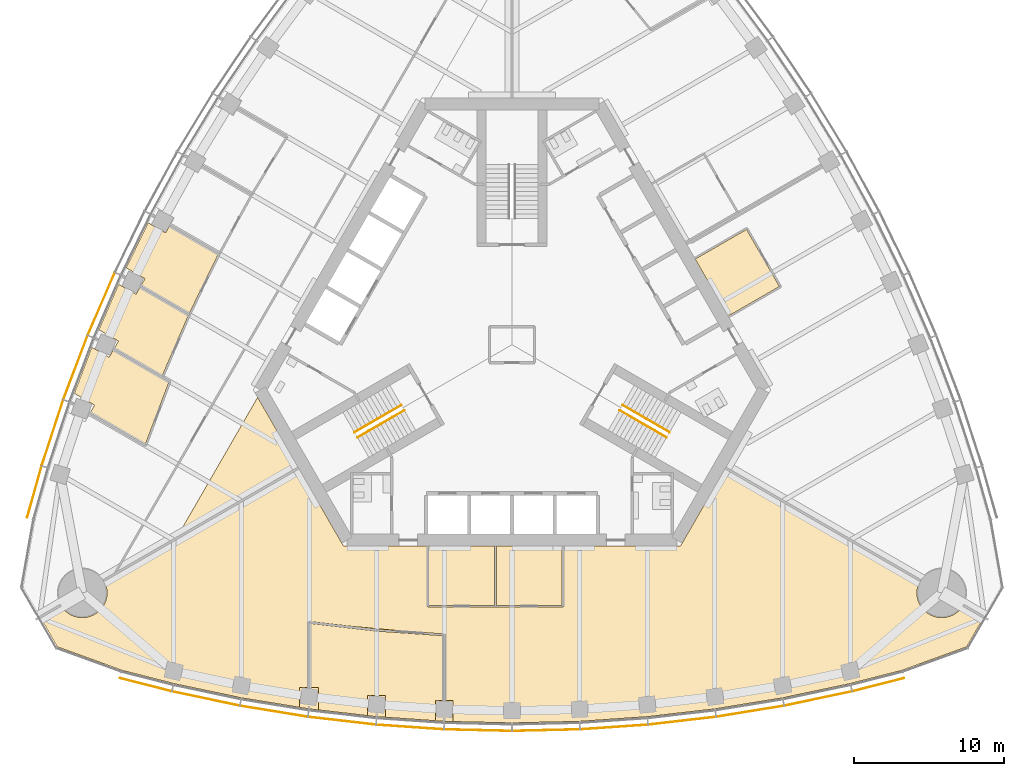
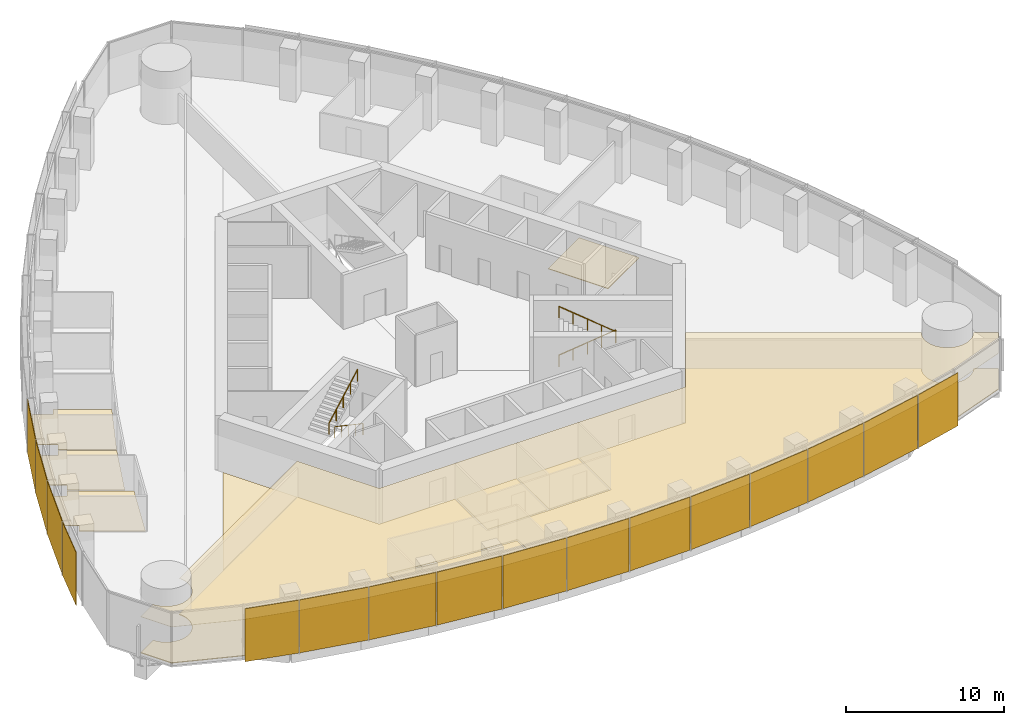
# One storey, part 15 of 19: 16 shading devices, 10 coverings, 4 railings.
"""IFC4 building model written with IfcOpenShell, lengths in metres."""

from ifc_helpers import new_model, si_unit, direction, frame, origin, origin_2d, place, context, subcontext, project, spatial, polyline, rectangle, circle, outline, extrude, material, layer, layer_set, type_object, element, save


model = new_model("IFC4")

# Units and contexts
model_context = context("Model", 3, precision=1e-05, world=origin(), true_north=direction((0.0, 1.0)))
body_context = subcontext(model_context, "Body", "Model", "MODEL_VIEW")
ifc_project = project(units=[si_unit("LENGTHUNIT", "METRE"), si_unit("AREAUNIT", "SQUARE_METRE"), si_unit("VOLUMEUNIT", "CUBIC_METRE"), si_unit("PLANEANGLEUNIT", "RADIAN"), si_unit("MASSUNIT", "GRAM", prefix="KILO")], contexts=[model_context])

# Site, building, storey
site_placement = place(None, origin())
site = spatial("IfcSite", under=ifc_project, at=site_placement, CompositionType="ELEMENT")
building_placement = place(site_placement, origin())
building = spatial("IfcBuilding", under=site, at=building_placement, Name="Trefoil Bronze Tower", CompositionType="ELEMENT")
storey_placement = place(building_placement, frame((0.0, 0.0, 206.5)))
storey = spatial("IfcBuildingStorey", under=building, at=storey_placement, Name="L47", CompositionType="ELEMENT", Elevation=206.5)

# Shading devices
ifc_material_1 = material(Name="Perforated bronze sheet", Category="bronze")
ifc_layer_1 = layer(ifc_material_1, 0.0400390625)
ifc_layer_set_1 = layer_set([ifc_layer_1], Name="Bronze solar screen panel")
shading_device_type = type_object("IfcShadingDeviceType", Name="Bronze solar screen panel", PredefinedType="SHUTTER", material=ifc_layer_set_1)
shading_device_1_placement = place(storey_placement, frame((-24.360107421875, -22.614501953125, 0.050048828125), z_axis=(0.0, 0.0, 1.0), x_axis=(0.968934035393, -0.247319297786, 0.0)))
element("IfcShadingDevice", 1, at=shading_device_1_placement, inside=storey, type_object=shading_device_type, Name="Solar screen CW-A L47 F1 bay 1", PredefinedType="SHUTTER", context=body_context, shape_type="SweptSolid", body=[
    extrude(rectangle(XDim=3.53369140625, YDim=0.0400390625, at=origin_2d()), origin(), (0.0, 0.0, 1.0), 4.10009765625),
])
shading_device_2_placement = place(storey_placement, frame((-20.361572265625, -23.535888671875, 0.050048828125), z_axis=(0.0, 0.0, 1.0), x_axis=(0.978394335897, -0.20674748725, 0.0)))
element("IfcShadingDevice", 2, at=shading_device_2_placement, inside=storey, type_object=shading_device_type, Name="Solar screen CW-A L47 F1 bay 2", PredefinedType="SHUTTER", context=body_context, shape_type="SweptSolid", body=[
    extrude(rectangle(XDim=4.5693359375, YDim=0.0400390625, at=origin_2d()), origin(), (0.0, 0.0, 1.0), 4.10009765625),
])
shading_device_3_placement = place(storey_placement, frame((-15.8369140625, -24.382568359375, 0.050048828125), z_axis=(0.0, 0.0, 1.0), x_axis=(0.986986549528, -0.160802832848, 0.0)))
element("IfcShadingDevice", 3, at=shading_device_3_placement, inside=storey, type_object=shading_device_type, Name="Solar screen CW-A L47 F1 bay 3", PredefinedType="SHUTTER", context=body_context, shape_type="SweptSolid", body=[
    extrude(rectangle(XDim=4.529296875, YDim=0.0400390625, at=origin_2d()), origin(), (0.0, 0.0, 1.0), 4.10009765625),
])
shading_device_4_placement = place(storey_placement, frame((-11.31201171875, -25.0126953125, 0.050048828125), z_axis=(0.0, 0.0, 1.0), x_axis=(0.993381831741, -0.114858767043, 0.0)))
element("IfcShadingDevice", 4, at=shading_device_4_placement, inside=storey, type_object=shading_device_type, Name="Solar screen CW-A L47 F1 bay 4", PredefinedType="SHUTTER", context=body_context, shape_type="SweptSolid", body=[
    extrude(rectangle(XDim=4.5, YDim=0.0400390625, at=origin_2d()), origin(), (0.0, 0.0, 1.0), 4.10009765625),
])
shading_device_5_placement = place(storey_placement, frame((-6.787109375, -25.430419921875, 0.050048828125), z_axis=(0.0, 0.0, 1.0), x_axis=(0.99762252804, -0.068915103905, 0.0)))
element("IfcShadingDevice", 5, at=shading_device_5_placement, inside=storey, type_object=shading_device_type, Name="Solar screen CW-A L47 F1 bay 5", PredefinedType="SHUTTER", context=body_context, shape_type="SweptSolid", body=[
    extrude(rectangle(XDim=4.480712890625, YDim=0.0400390625, at=origin_2d()), origin(), (0.0, 0.0, 1.0), 4.10009765625),
])
for number, where, z_axis, x_axis, name in (
    (6, (-2.262451171875, -25.638671875, 0.050048828125), (0.0, 0.0, 1.0), (0.999736116243, -0.022971675577, 0.0), "Solar screen CW-A L47 F1 bay 6"),
    (7, (2.262451171875, -25.638671875, 0.050048828125), (0.0, 0.0, 1.0), (0.999736116243, 0.022971675577, 0.0), "Solar screen CW-A L47 F1 bay 7"),
):
    element("IfcShadingDevice", number, at=place(storey_placement, frame(where, z_axis=z_axis, x_axis=x_axis)), inside=storey, type_object=shading_device_type, Name=name, PredefinedType="SHUTTER", context=body_context, shape_type="SweptSolid", body=[
        extrude(rectangle(XDim=4.47119140625, YDim=0.0400390625, at=origin_2d()), origin(), (0.0, 0.0, 1.0), 4.10009765625),
    ])
shading_device_6_placement = place(storey_placement, frame((6.787109375, -25.430419921875, 0.050048828125), z_axis=(0.0, 0.0, 1.0), x_axis=(0.99762252804, 0.068915103905, 0.0)))
element("IfcShadingDevice", 8, at=shading_device_6_placement, inside=storey, type_object=shading_device_type, Name="Solar screen CW-A L47 F1 bay 8", PredefinedType="SHUTTER", context=body_context, shape_type="SweptSolid", body=[
    extrude(rectangle(XDim=4.480712890625, YDim=0.0400390625, at=origin_2d()), origin(), (0.0, 0.0, 1.0), 4.10009765625),
])
shading_device_7_placement = place(storey_placement, frame((11.31201171875, -25.0126953125, 0.050048828125), z_axis=(0.0, 0.0, 1.0), x_axis=(0.993381831741, 0.114858767043, 0.0)))
element("IfcShadingDevice", 9, at=shading_device_7_placement, inside=storey, type_object=shading_device_type, Name="Solar screen CW-A L47 F1 bay 9", PredefinedType="SHUTTER", context=body_context, shape_type="SweptSolid", body=[
    extrude(rectangle(XDim=4.5, YDim=0.0400390625, at=origin_2d()), origin(), (0.0, 0.0, 1.0), 4.10009765625),
])
shading_device_8_placement = place(storey_placement, frame((15.8369140625, -24.382568359375, 0.050048828125), z_axis=(0.0, 0.0, 1.0), x_axis=(0.986986549528, 0.160802832848, 0.0)))
element("IfcShadingDevice", 10, at=shading_device_8_placement, inside=storey, type_object=shading_device_type, Name="Solar screen CW-A L47 F1 bay 10", PredefinedType="SHUTTER", context=body_context, shape_type="SweptSolid", body=[
    extrude(rectangle(XDim=4.529296875, YDim=0.0400390625, at=origin_2d()), origin(), (0.0, 0.0, 1.0), 4.10009765625),
])
shading_device_9_placement = place(storey_placement, frame((20.361572265625, -23.535888671875, 0.050048828125), z_axis=(0.0, 0.0, 1.0), x_axis=(0.978394335897, 0.20674748725, 0.0)))
element("IfcShadingDevice", 11, at=shading_device_9_placement, inside=storey, type_object=shading_device_type, Name="Solar screen CW-A L47 F1 bay 11", PredefinedType="SHUTTER", context=body_context, shape_type="SweptSolid", body=[
    extrude(rectangle(XDim=4.5693359375, YDim=0.0400390625, at=origin_2d()), origin(), (0.0, 0.0, 1.0), 4.10009765625),
])
shading_device_10_placement = place(storey_placement, frame((24.360107421875, -22.614501953125, 0.050048828125), z_axis=(0.0, 0.0, 1.0), x_axis=(0.968934035393, 0.247319297786, 0.0)))
element("IfcShadingDevice", 12, at=shading_device_10_placement, inside=storey, type_object=shading_device_type, Name="Solar screen CW-A L47 F1 bay 12", PredefinedType="SHUTTER", context=body_context, shape_type="SweptSolid", body=[
    extrude(rectangle(XDim=3.53369140625, YDim=0.0400390625, at=origin_2d()), origin(), (0.0, 0.0, 1.0), 4.10009765625),
])
shading_device_11_placement = place(storey_placement, frame((-27.317626953125, 2.709716796875, 0.050048828125), z_axis=(0.0, 0.0, 1.0), x_axis=(-0.397220305764, -0.917723285467, 0.0)))
element("IfcShadingDevice", 13, at=shading_device_11_placement, inside=storey, type_object=shading_device_type, Name="Solar screen CW-A L47 F3 bay 9", PredefinedType="SHUTTER", context=body_context, shape_type="SweptSolid", body=[
    extrude(rectangle(XDim=4.5, YDim=0.0400390625, at=origin_2d()), origin(), (0.0, 0.0, 1.0), 4.10009765625),
])
shading_device_12_placement = place(storey_placement, frame((-29.0341796875, -1.52392578125, 0.050048828125), z_axis=(0.0, 0.0, 1.0), x_axis=(-0.354233936517, -0.935156841508, 0.0)))
element("IfcShadingDevice", 14, at=shading_device_12_placement, inside=storey, type_object=shading_device_type, Name="Solar screen CW-A L47 F3 bay 10", PredefinedType="SHUTTER", context=body_context, shape_type="SweptSolid", body=[
    extrude(rectangle(XDim=4.529296875, YDim=0.0400390625, at=origin_2d()), origin(), (0.0, 0.0, 1.0), 4.10009765625),
])
shading_device_13_placement = place(storey_placement, frame((-30.5634765625, -5.86572265625, 0.050048828125), z_axis=(0.0, 0.0, 1.0), x_axis=(-0.310148591821, -0.950688093431, 0.0)))
element("IfcShadingDevice", 15, at=shading_device_13_placement, inside=storey, type_object=shading_device_type, Name="Solar screen CW-A L47 F3 bay 11", PredefinedType="SHUTTER", context=body_context, shape_type="SweptSolid", body=[
    extrude(rectangle(XDim=4.5693359375, YDim=0.0400390625, at=origin_2d()), origin(), (0.0, 0.0, 1.0), 4.10009765625),
])
shading_device_14_placement = place(storey_placement, frame((-31.764892578125, -9.7890625, 0.050048828125), z_axis=(0.0, 0.0, 1.0), x_axis=(-0.270282222968, -0.962781138134, 0.0)))
element("IfcShadingDevice", 16, at=shading_device_14_placement, inside=storey, type_object=shading_device_type, Name="Solar screen CW-A L47 F3 bay 12", PredefinedType="SHUTTER", context=body_context, shape_type="SweptSolid", body=[
    extrude(rectangle(XDim=3.53369140625, YDim=0.0400390625, at=origin_2d()), origin(), (0.0, 0.0, 1.0), 4.10009765625),
])

# Railings
ifc_material_2 = material(Name="Steel handrail", Category="steel")
railing_type = type_object("IfcRailingType", Name="Handrail 900", PredefinedType="HANDRAIL", material=ifc_material_2)
railing_1_placement = place(storey_placement, frame((7.365966796875, -4.021728515625, 0.16162109375)))
element("IfcRailing", 17, at=railing_1_placement, inside=storey, type_object=railing_type, Name="Handrail ST1 flight 1 L47", PredefinedType="HANDRAIL", context=body_context, shape_type="SweptSolid", body=[
    extrude(circle(Radius=0.02392578125, at=origin_2d()), frame((0.0, 0.0, 0.8759765625), z_axis=(0.76250339821, -0.440245697338, 0.474101564745), x_axis=(0.500012057535, 0.866018442252, 0.0)), (0.0, 0.0, 1.0), 4.088623046875),
    extrude(circle(Radius=0.02099609375, at=origin_2d()), origin(), (0.0, 0.0, 1.0), 0.851806640625),
    extrude(circle(Radius=0.02099609375, at=origin_2d()), frame((0.779296875, -0.449951171875, 0.484619140625)), (0.0, 0.0, 1.0), 0.851806640625),
    extrude(circle(Radius=0.02099609375, at=origin_2d()), frame((1.558837890625, -0.89990234375, 0.96923828125)), (0.0, 0.0, 1.0), 0.851806640625),
    extrude(circle(Radius=0.02099609375, at=origin_2d()), frame((2.33837890625, -1.35009765625, 1.453857421875)), (0.0, 0.0, 1.0), 0.851806640625),
    extrude(circle(Radius=0.02099609375, at=origin_2d()), frame((3.11767578125, -1.800048828125, 1.9384765625)), (0.0, 0.0, 1.0), 0.851806640625),
])
railing_2_placement = place(storey_placement, frame((10.28369140625, -6.168212890625, 2.261474609375)))
element("IfcRailing", 18, at=railing_2_placement, inside=storey, type_object=railing_type, Name="Handrail ST1 flight 2 L47", PredefinedType="HANDRAIL", context=body_context, shape_type="SweptSolid", body=[
    extrude(circle(Radius=0.02392578125, at=origin_2d()), frame((0.0, 0.0, 0.8759765625), z_axis=(-0.76250339821, 0.440245697338, 0.474101564745), x_axis=(-0.500012057535, -0.866018442252, 0.0)), (0.0, 0.0, 1.0), 4.088623046875),
    extrude(circle(Radius=0.02099609375, at=origin_2d()), origin(), (0.0, 0.0, 1.0), 0.851806640625),
    extrude(circle(Radius=0.02099609375, at=origin_2d()), frame((-0.779296875, 0.449951171875, 0.484619140625)), (0.0, 0.0, 1.0), 0.851806640625),
    extrude(circle(Radius=0.02099609375, at=origin_2d()), frame((-1.558837890625, 0.89990234375, 0.96923828125)), (0.0, 0.0, 1.0), 0.851806640625),
    extrude(circle(Radius=0.02099609375, at=origin_2d()), frame((-2.33837890625, 1.35009765625, 1.453857421875)), (0.0, 0.0, 1.0), 0.851806640625),
    extrude(circle(Radius=0.02099609375, at=origin_2d()), frame((-3.11767578125, 1.800048828125, 1.9384765625)), (0.0, 0.0, 1.0), 0.851806640625),
])
railing_3_placement = place(storey_placement, frame((-7.166015625, -4.3681640625, 0.16162109375)))
element("IfcRailing", 19, at=railing_3_placement, inside=storey, type_object=railing_type, Name="Handrail ST3 flight 1 L47", PredefinedType="HANDRAIL", context=body_context, shape_type="SweptSolid", body=[
    extrude(circle(Radius=0.02392578125, at=origin_2d()), frame((0.0, 0.0, 0.8759765625), z_axis=(-0.76250339821, -0.440245697338, 0.474101564745), x_axis=(0.500012057535, -0.866018442252, 0.0)), (0.0, 0.0, 1.0), 4.088623046875),
    extrude(circle(Radius=0.02099609375, at=origin_2d()), origin(), (0.0, 0.0, 1.0), 0.851806640625),
    extrude(circle(Radius=0.02099609375, at=origin_2d()), frame((-0.779296875, -0.449951171875, 0.484619140625)), (0.0, 0.0, 1.0), 0.851806640625),
    extrude(circle(Radius=0.02099609375, at=origin_2d()), frame((-1.558837890625, -0.89990234375, 0.96923828125)), (0.0, 0.0, 1.0), 0.851806640625),
    extrude(circle(Radius=0.02099609375, at=origin_2d()), frame((-2.33837890625, -1.35009765625, 1.453857421875)), (0.0, 0.0, 1.0), 0.851806640625),
    extrude(circle(Radius=0.02099609375, at=origin_2d()), frame((-3.11767578125, -1.800048828125, 1.9384765625)), (0.0, 0.0, 1.0), 0.851806640625),
])
railing_4_placement = place(storey_placement, frame((-10.483642578125, -5.82177734375, 2.261474609375)))
element("IfcRailing", 20, at=railing_4_placement, inside=storey, type_object=railing_type, Name="Handrail ST3 flight 2 L47", PredefinedType="HANDRAIL", context=body_context, shape_type="SweptSolid", body=[
    extrude(circle(Radius=0.02392578125, at=origin_2d()), frame((0.0, 0.0, 0.8759765625), z_axis=(0.76250339821, 0.440245697338, 0.474101564745), x_axis=(-0.500012057535, 0.866018442252, 0.0)), (0.0, 0.0, 1.0), 4.088623046875),
    extrude(circle(Radius=0.02099609375, at=origin_2d()), origin(), (0.0, 0.0, 1.0), 0.851806640625),
    extrude(circle(Radius=0.02099609375, at=origin_2d()), frame((0.779296875, 0.449951171875, 0.484619140625)), (0.0, 0.0, 1.0), 0.851806640625),
    extrude(circle(Radius=0.02099609375, at=origin_2d()), frame((1.558837890625, 0.89990234375, 0.96923828125)), (0.0, 0.0, 1.0), 0.851806640625),
    extrude(circle(Radius=0.02099609375, at=origin_2d()), frame((2.33837890625, 1.35009765625, 1.453857421875)), (0.0, 0.0, 1.0), 0.851806640625),
    extrude(circle(Radius=0.02099609375, at=origin_2d()), frame((3.11767578125, 1.800048828125, 1.9384765625)), (0.0, 0.0, 1.0), 0.851806640625),
])

# Coverings
ifc_material_3 = material(Name="Acoustic ceiling panels", Category="mineral fibre")
ifc_layer_2 = layer(ifc_material_3, 0.02001953125)
ifc_layer_set_2 = layer_set([ifc_layer_2], Name="Office ceiling 20")
covering_type_1 = type_object("IfcCoveringType", Name="Office ceiling 20", PredefinedType="CEILING", material=ifc_layer_set_2)
covering_1_placement = place(storey_placement, frame((0.0, 0.0, 2.89990234375)))
element("IfcCovering", 21, at=covering_1_placement, inside=storey, type_object=covering_type_1, Name="Ceiling L47 Open-plan office F1", PredefinedType="CEILING", context=body_context, shape_type="SweptSolid", body=[
    extrude(outline(polyline([(-29.95068359375, -17.416748046875), (-29.904052734375, -17.48291015625), (-29.854248046875, -17.546630859375), (-29.801513671875, -17.608154296875), (-29.74560546875, -17.666748046875), (-29.68701171875, -17.72265625), (-29.62548828125, -17.775390625), (-29.561767578125, -17.8251953125), (-29.49560546875, -17.871826171875), (-29.427001953125, -17.915283203125), (-29.356689453125, -17.955078125), (-29.2841796875, -17.99169921875), (-29.210205078125, -18.0244140625), (-29.134765625, -18.053466796875), (-29.057861328125, -18.0791015625), (-28.979736328125, -18.1005859375), (-28.900634765625, -18.118408203125), (-28.82080078125, -18.132080078125), (-28.740478515625, -18.14208984375), (-28.659912109375, -18.14794921875), (-28.578857421875, -18.14990234375), (-28.497802734375, -18.14794921875), (-28.4169921875, -18.14208984375), (-28.336669921875, -18.132080078125), (-28.2568359375, -18.118408203125), (-28.177978515625, -18.1005859375), (-28.099853515625, -18.0791015625), (-28.02294921875, -18.053466796875), (-27.947509765625, -18.0244140625), (-27.873291015625, -17.99169921875), (-27.801025390625, -17.955078125), (-27.730712890625, -17.915283203125), (-27.662109375, -17.871826171875), (-27.595947265625, -17.8251953125), (-27.531982421875, -17.775390625), (-27.470703125, -17.72265625), (-27.412109375, -17.666748046875), (-27.356201171875, -17.608154296875), (-27.303466796875, -17.546630859375), (-27.25341796875, -17.48291015625), (-27.206787109375, -17.416748046875), (-27.16357421875, -17.348388671875), (-27.123779296875, -17.27783203125), (-27.08740234375, -17.20556640625), (-27.054443359375, -17.13134765625), (-27.025390625, -17.055908203125), (-27.0, -16.97900390625), (-26.978271484375, -16.90087890625), (-26.96044921875, -16.822021484375), (-26.94677734375, -16.7421875), (-26.936767578125, -16.66162109375), (-26.930908203125, -16.5810546875), (-26.9287109375, -16.5), (-26.930908203125, -16.4189453125), (-26.936767578125, -16.33837890625), (-26.94677734375, -16.2578125), (-26.96044921875, -16.177978515625), (-26.978271484375, -16.09912109375), (-27.0, -16.02099609375), (-27.025390625, -15.944091796875), (-27.054443359375, -15.86865234375), (-27.08740234375, -15.79443359375), (-27.123779296875, -15.72216796875), (-27.14453125, -15.685546875), (-14.19970703125, -8.205322265625), (-11.20068359375, -13.39990234375), (11.20068359375, -13.39990234375), (14.19970703125, -8.205322265625), (27.14453125, -15.685546875), (27.123779296875, -15.72216796875), (27.08740234375, -15.79443359375), (27.054443359375, -15.86865234375), (27.025390625, -15.944091796875), (27.0, -16.02099609375), (26.978271484375, -16.09912109375), (26.96044921875, -16.177978515625), (26.94677734375, -16.2578125), (26.936767578125, -16.33837890625), (26.930908203125, -16.4189453125), (26.9287109375, -16.5), (26.930908203125, -16.5810546875), (26.936767578125, -16.66162109375), (26.94677734375, -16.7421875), (26.96044921875, -16.822021484375), (26.978271484375, -16.90087890625), (27.0, -16.97900390625), (27.025390625, -17.055908203125), (27.054443359375, -17.13134765625), (27.08740234375, -17.20556640625), (27.123779296875, -17.27783203125), (27.16357421875, -17.348388671875), (27.206787109375, -17.416748046875), (27.25341796875, -17.48291015625), (27.303466796875, -17.546630859375), (27.356201171875, -17.608154296875), (27.412109375, -17.666748046875), (27.470703125, -17.72265625), (27.531982421875, -17.775390625), (27.595947265625, -17.8251953125), (27.662109375, -17.871826171875), (27.730712890625, -17.915283203125), (27.801025390625, -17.955078125), (27.873291015625, -17.99169921875), (27.947509765625, -18.0244140625), (28.02294921875, -18.053466796875), (28.099853515625, -18.0791015625), (28.177978515625, -18.1005859375), (28.2568359375, -18.118408203125), (28.336669921875, -18.132080078125), (28.4169921875, -18.14208984375), (28.497802734375, -18.14794921875), (28.578857421875, -18.14990234375), (28.659912109375, -18.14794921875), (28.740478515625, -18.14208984375), (28.82080078125, -18.132080078125), (28.900634765625, -18.118408203125), (28.979736328125, -18.1005859375), (29.057861328125, -18.0791015625), (29.134765625, -18.053466796875), (29.210205078125, -18.0244140625), (29.2841796875, -17.99169921875), (29.356689453125, -17.955078125), (29.427001953125, -17.915283203125), (29.49560546875, -17.871826171875), (29.561767578125, -17.8251953125), (29.62548828125, -17.775390625), (29.68701171875, -17.72265625), (29.74560546875, -17.666748046875), (29.801513671875, -17.608154296875), (29.854248046875, -17.546630859375), (29.904052734375, -17.48291015625), (29.95068359375, -17.416748046875), (30.0009765625, -17.336181640625), (31.37158203125, -18.1279296875), (30.23828125, -20.0908203125), (25.952880859375, -21.650634765625), (22.5, -22.531982421875), (18.0, -23.48291015625), (13.5, -24.216064453125), (9.0, -24.736328125), (4.5, -25.047119140625), (0.0, -25.150634765625), (-4.5, -25.047119140625), (-9.0, -24.736328125), (-13.5, -24.216064453125), (-18.0, -23.48291015625), (-22.5, -22.531982421875), (-25.952880859375, -21.650634765625), (-30.23828125, -20.0908203125), (-31.37158203125, -18.1279296875), (-30.0009765625, -17.336181640625), (-29.95068359375, -17.416748046875)])), origin(), (0.0, 0.0, 1.0), 0.02001953125),
])
ifc_material_4 = material(Name="Raised access floor panels", Category="steel")
ifc_layer_3 = layer(ifc_material_4, 0.050048828125)
ifc_layer_set_3 = layer_set([ifc_layer_3], Name="Raised access floor 150")
covering_type_2 = type_object("IfcCoveringType", Name="Raised access floor 150", PredefinedType="FLOORING", material=ifc_layer_set_3)
covering_2_placement = place(storey_placement, frame((0.0, 0.0, 0.10009765625)))
element("IfcCovering", 22, at=covering_2_placement, inside=storey, type_object=covering_type_2, Name="Raised floor L47 Project room F1", PredefinedType="FLOORING", context=body_context, shape_type="SweptSolid", body=[
    extrude(outline(polyline([(-1.159912109375, -13.39990234375), (-1.159912109375, -17.340087890625), (-5.5400390625, -17.340087890625), (-5.5400390625, -13.39990234375), (-1.159912109375, -13.39990234375)])), origin(), (0.0, 0.0, 1.0), 0.0498046875),
])
covering_3_placement = place(storey_placement, frame((0.0, 0.0, 0.10009765625)))
element("IfcCovering", 23, at=covering_3_placement, inside=storey, type_object=covering_type_2, Name="Raised floor L47 Project room F1", PredefinedType="FLOORING", context=body_context, shape_type="SweptSolid", body=[
    extrude(outline(polyline([(3.340087890625, -13.39990234375), (3.340087890625, -17.340087890625), (-1.0400390625, -17.340087890625), (-1.0400390625, -13.39990234375), (3.340087890625, -13.39990234375)])), origin(), (0.0, 0.0, 1.0), 0.0498046875),
])
covering_4_placement = place(storey_placement, frame((0.0, 0.0, 0.10009765625)))
element("IfcCovering", 24, at=covering_4_placement, inside=storey, type_object=covering_type_2, Name="Raised floor L47 Kitchen and breakout F1", PredefinedType="FLOORING", context=body_context, shape_type="SweptSolid", body=[
    extrude(outline(polyline([(-8.400634765625, -24.77783203125), (-8.400634765625, -23.333740234375), (-9.599365234375, -23.333740234375), (-9.599365234375, -24.6669921875), (-12.87841796875, -24.2880859375), (-12.87841796875, -22.78662109375), (-13.43994140625, -22.78662109375), (-13.43994140625, -18.533447265625), (-9.0068359375, -19.0458984375), (-9.0, -18.986328125), (-9.004150390625, -19.046142578125), (-4.56005859375, -19.353271484375), (-4.56005859375, -23.665771484375), (-4.5, -23.665771484375), (-4.5, -23.670654296875), (-5.07568359375, -23.670654296875), (-5.07568359375, -25.007568359375), (-8.400634765625, -24.77783203125)])), origin(), (0.0, 0.0, 1.0), 0.0498046875),
])
covering_5_placement = place(storey_placement, frame((0.0, 0.0, 0.10009765625)))
element("IfcCovering", 25, at=covering_5_placement, inside=storey, type_object=covering_type_2, Name="Raised floor L47 Open-plan office F1", PredefinedType="FLOORING", context=body_context, shape_type="SweptSolid", body=[
    extrude(outline(polyline([(-14.19970703125, -8.205322265625), (-11.20068359375, -13.39990234375), (-5.659912109375, -13.39990234375), (-5.659912109375, -17.39990234375), (-5.60009765625, -17.39990234375), (-5.60009765625, -17.4599609375), (3.39990234375, -17.4599609375), (3.39990234375, -17.39990234375), (3.4599609375, -17.39990234375), (3.4599609375, -13.39990234375), (11.20068359375, -13.39990234375), (14.19970703125, -8.205322265625), (27.14453125, -15.685546875), (27.123779296875, -15.72216796875), (27.08740234375, -15.79443359375), (27.054443359375, -15.86865234375), (27.025390625, -15.944091796875), (27.0, -16.02099609375), (26.978271484375, -16.09912109375), (26.96044921875, -16.177978515625), (26.94677734375, -16.2578125), (26.936767578125, -16.33837890625), (26.930908203125, -16.4189453125), (26.9287109375, -16.5), (26.930908203125, -16.5810546875), (26.936767578125, -16.66162109375), (26.94677734375, -16.7421875), (26.96044921875, -16.822021484375), (26.978271484375, -16.90087890625), (27.0, -16.97900390625), (27.025390625, -17.055908203125), (27.054443359375, -17.13134765625), (27.08740234375, -17.20556640625), (27.123779296875, -17.27783203125), (27.16357421875, -17.348388671875), (27.206787109375, -17.416748046875), (27.25341796875, -17.48291015625), (27.303466796875, -17.546630859375), (27.356201171875, -17.608154296875), (27.412109375, -17.666748046875), (27.470703125, -17.72265625), (27.531982421875, -17.775390625), (27.595947265625, -17.8251953125), (27.662109375, -17.871826171875), (27.730712890625, -17.915283203125), (27.801025390625, -17.955078125), (27.873291015625, -17.99169921875), (27.947509765625, -18.0244140625), (28.02294921875, -18.053466796875), (28.099853515625, -18.0791015625), (28.177978515625, -18.1005859375), (28.2568359375, -18.118408203125), (28.336669921875, -18.132080078125), (28.4169921875, -18.14208984375), (28.497802734375, -18.14794921875), (28.578857421875, -18.14990234375), (28.659912109375, -18.14794921875), (28.740478515625, -18.14208984375), (28.82080078125, -18.132080078125), (28.900634765625, -18.118408203125), (28.979736328125, -18.1005859375), (29.057861328125, -18.0791015625), (29.134765625, -18.053466796875), (29.210205078125, -18.0244140625), (29.2841796875, -17.99169921875), (29.356689453125, -17.955078125), (29.427001953125, -17.915283203125), (29.49560546875, -17.871826171875), (29.561767578125, -17.8251953125), (29.62548828125, -17.775390625), (29.68701171875, -17.72265625), (29.74560546875, -17.666748046875), (29.801513671875, -17.608154296875), (29.854248046875, -17.546630859375), (29.904052734375, -17.48291015625), (29.95068359375, -17.416748046875), (30.0009765625, -17.336181640625), (31.37158203125, -18.1279296875), (30.23828125, -20.0908203125), (25.952880859375, -21.650634765625), (22.5, -22.531982421875), (18.0, -23.48291015625), (13.5, -24.216064453125), (9.0, -24.736328125), (4.5, -25.047119140625), (0.0, -25.150634765625), (-3.92431640625, -25.060546875), (-3.92431640625, -23.670654296875), (-4.5, -23.670654296875), (-4.5, -23.665771484375), (-4.43994140625, -23.665771484375), (-4.43994140625, -19.297119140625), (-4.5, -19.297119140625), (-4.495849609375, -19.2373046875), (-7.084228515625, -19.05859375), (-10.90478515625, -18.705810546875), (-13.4931640625, -18.406494140625), (-13.5, -18.466064453125), (-13.56005859375, -18.466064453125), (-13.56005859375, -22.78662109375), (-14.12158203125, -22.78662109375), (-14.12158203125, -24.11474609375), (-18.0, -23.48291015625), (-22.5, -22.531982421875), (-25.952880859375, -21.650634765625), (-30.23828125, -20.0908203125), (-31.37158203125, -18.1279296875), (-30.0009765625, -17.336181640625), (-29.95068359375, -17.416748046875), (-29.904052734375, -17.48291015625), (-29.854248046875, -17.546630859375), (-29.801513671875, -17.608154296875), (-29.74560546875, -17.666748046875), (-29.68701171875, -17.72265625), (-29.62548828125, -17.775390625), (-29.561767578125, -17.8251953125), (-29.49560546875, -17.871826171875), (-29.427001953125, -17.915283203125), (-29.356689453125, -17.955078125), (-29.2841796875, -17.99169921875), (-29.210205078125, -18.0244140625), (-29.134765625, -18.053466796875), (-29.057861328125, -18.0791015625), (-28.979736328125, -18.1005859375), (-28.900634765625, -18.118408203125), (-28.82080078125, -18.132080078125), (-28.740478515625, -18.14208984375), (-28.659912109375, -18.14794921875), (-28.578857421875, -18.14990234375), (-28.497802734375, -18.14794921875), (-28.4169921875, -18.14208984375), (-28.336669921875, -18.132080078125), (-28.2568359375, -18.118408203125), (-28.177978515625, -18.1005859375), (-28.099853515625, -18.0791015625), (-28.02294921875, -18.053466796875), (-27.947509765625, -18.0244140625), (-27.873291015625, -17.99169921875), (-27.801025390625, -17.955078125), (-27.730712890625, -17.915283203125), (-27.662109375, -17.871826171875), (-27.595947265625, -17.8251953125), (-27.531982421875, -17.775390625), (-27.470703125, -17.72265625), (-27.412109375, -17.666748046875), (-27.356201171875, -17.608154296875), (-27.303466796875, -17.546630859375), (-27.25341796875, -17.48291015625), (-27.206787109375, -17.416748046875), (-27.16357421875, -17.348388671875), (-27.123779296875, -17.27783203125), (-27.08740234375, -17.20556640625), (-27.054443359375, -17.13134765625), (-27.025390625, -17.055908203125), (-27.0, -16.97900390625), (-26.978271484375, -16.90087890625), (-26.96044921875, -16.822021484375), (-26.94677734375, -16.7421875), (-26.936767578125, -16.66162109375), (-26.930908203125, -16.5810546875), (-26.9287109375, -16.5), (-26.930908203125, -16.4189453125), (-26.936767578125, -16.33837890625), (-26.94677734375, -16.2578125), (-26.96044921875, -16.177978515625), (-26.978271484375, -16.09912109375), (-27.0, -16.02099609375), (-27.025390625, -15.944091796875), (-27.054443359375, -15.86865234375), (-27.08740234375, -15.79443359375), (-27.123779296875, -15.72216796875), (-27.14453125, -15.685546875), (-14.19970703125, -8.205322265625)])), origin(), (0.0, 0.0, 1.0), 0.0498046875),
])
covering_6_placement = place(storey_placement, frame((0.0, 0.0, 0.10009765625)))
element("IfcCovering", 26, at=covering_6_placement, inside=storey, type_object=covering_type_2, Name="Raised floor L47 Project room F2", PredefinedType="FLOORING", context=body_context, shape_type="SweptSolid", body=[
    extrude(outline(polyline([(12.184814453125, 5.6953125), (15.596923828125, 7.665283203125), (17.786865234375, 3.872314453125), (14.374755859375, 1.902099609375), (12.184814453125, 5.6953125)])), origin(), (0.0, 0.0, 1.0), 0.0498046875),
])
covering_7_placement = place(storey_placement, frame((0.0, 0.0, 0.10009765625)))
element("IfcCovering", 27, at=covering_7_placement, inside=storey, type_object=covering_type_2, Name="Raised floor L47 Project room F3", PredefinedType="FLOORING", context=body_context, shape_type="SweptSolid", body=[
    extrude(outline(polyline([(-22.7451171875, 7.935791015625), (-22.775146484375, 7.8837890625), (-19.538330078125, 6.014892578125), (-21.46630859375, 2.070556640625), (-24.677490234375, 3.924560546875), (-24.407958984375, 4.3916015625), (-25.658447265625, 5.11376953125), (-24.195068359375, 8.10791015625), (-23.037353515625, 7.439697265625), (-22.74951171875, 7.938232421875), (-22.7451171875, 7.935791015625)])), origin(), (0.0, 0.0, 1.0), 0.0498046875),
])
covering_8_placement = place(storey_placement, frame((0.0, 0.0, 0.10009765625)))
element("IfcCovering", 28, at=covering_8_placement, inside=storey, type_object=covering_type_2, Name="Raised floor L47 Project room F3", PredefinedType="FLOORING", context=body_context, shape_type="SweptSolid", body=[
    extrude(outline(polyline([(-21.51708984375, 1.961181640625), (-23.268310546875, -2.085205078125), (-26.453857421875, -0.24609375), (-26.173095703125, 0.240478515625), (-27.47314453125, 0.990966796875), (-26.162109375, 4.020263671875), (-25.007080078125, 3.353515625), (-24.737548828125, 3.820556640625), (-21.51708984375, 1.961181640625)])), origin(), (0.0, 0.0, 1.0), 0.0498046875),
])
covering_9_placement = place(storey_placement, frame((0.0, 0.0, 0.10009765625)))
element("IfcCovering", 29, at=covering_9_placement, inside=storey, type_object=covering_type_2, Name="Raised floor L47 Meeting room F3", PredefinedType="FLOORING", context=body_context, shape_type="SweptSolid", body=[
    extrude(outline(polyline([(-22.81640625, -2.48486328125), (-24.38818359375, -6.634765625), (-28.045166015625, -4.5234375), (-27.75390625, -4.0185546875), (-29.106201171875, -3.23779296875), (-27.94482421875, -0.17236328125), (-26.794677734375, -0.83642578125), (-26.513916015625, -0.35009765625), (-22.81640625, -2.48486328125)])), origin(), (0.0, 0.0, 1.0), 0.0498046875),
])
covering_10_placement = place(storey_placement, frame((0.0, 0.0, 0.10009765625)))
element("IfcCovering", 30, at=covering_10_placement, inside=storey, type_object=covering_type_2, Name="Raised floor L47 Open-plan office F3", PredefinedType="FLOORING", context=body_context, shape_type="SweptSolid", body=[
    extrude(outline(polyline([(-16.91650390625, -3.5), (-14.205810546875, -8.194580078125), (-22.333740234375, -12.88330078125), (-16.91650390625, -3.5)])), origin(), (0.0, 0.0, 1.0), 0.0498046875),
])

save(model, "model.ifc")
